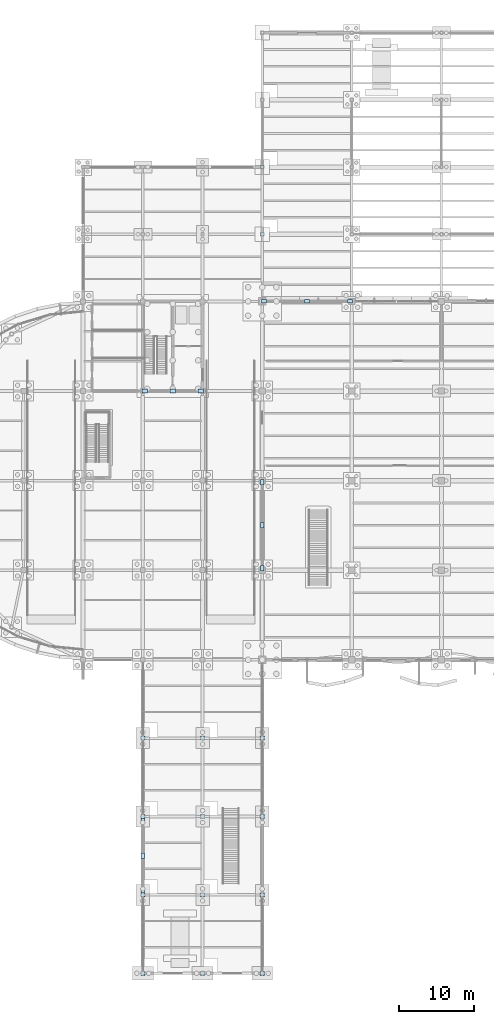
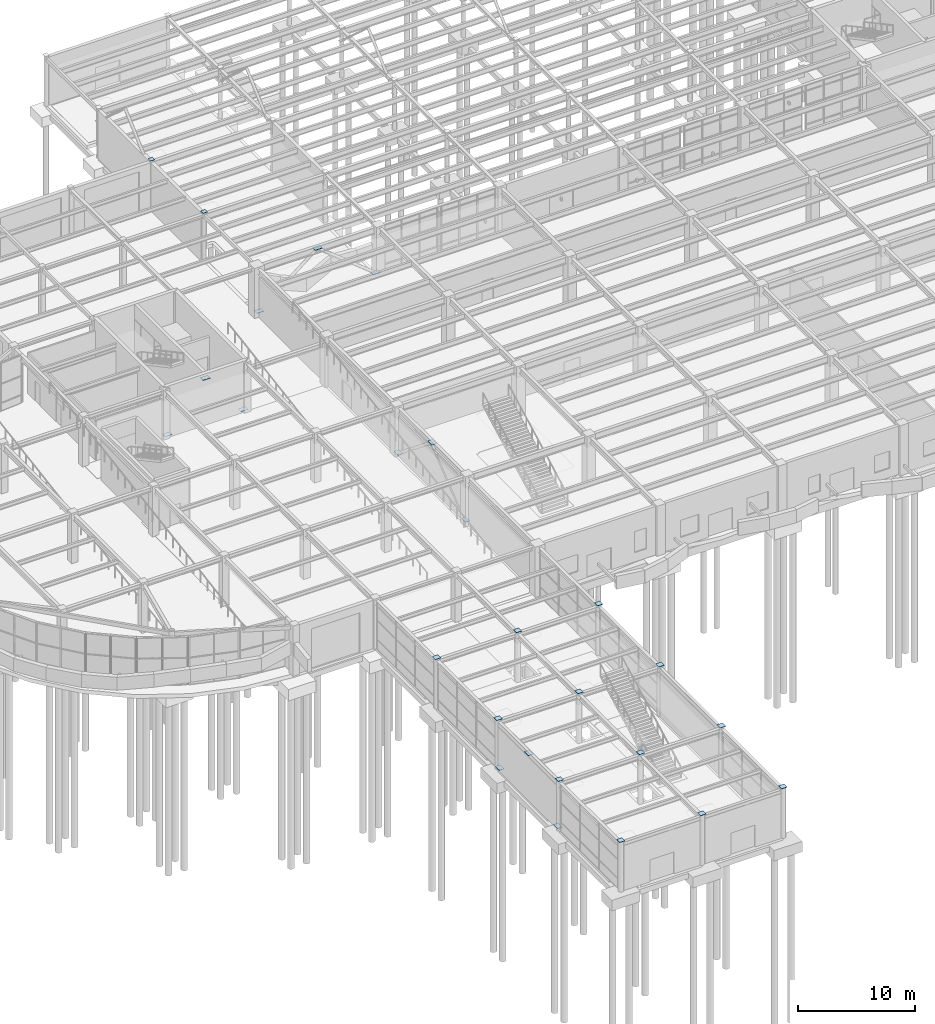
# One storey, part 59 of 85: 26 plates.
"""IFC4 building model written with IfcOpenShell, lengths in metres."""

from ifc_helpers import new_model, si_unit, direction, frame, origin, origin_2d, place, context, subcontext, project, spatial, rectangle, extrude, material, layer, layer_set, type_object, element, save


model = new_model("IFC4")

# Units and contexts
model_context = context("Model", 3, precision=1e-05, world=origin(), true_north=direction((0.0, 1.0)))
body_context = subcontext(model_context, "Body", "Model", "MODEL_VIEW")
ifc_project = project(units=[si_unit("LENGTHUNIT", "METRE"), si_unit("AREAUNIT", "SQUARE_METRE"), si_unit("VOLUMEUNIT", "CUBIC_METRE"), si_unit("PLANEANGLEUNIT", "RADIAN"), si_unit("MASSUNIT", "GRAM", prefix="KILO")], contexts=[model_context])

# Site, building, storey
site_placement = place(None, origin())
site = spatial("IfcSite", under=ifc_project, at=site_placement, CompositionType="ELEMENT")
building_placement = place(site_placement, origin())
building = spatial("IfcBuilding", under=site, at=building_placement, Name="Keelwater Ferry Terminal", CompositionType="ELEMENT")
storey_placement = place(building_placement, origin())
storey = spatial("IfcBuildingStorey", under=building, at=storey_placement, Name="L00", CompositionType="ELEMENT", Elevation=0.0)

# Plates
ifc_material_1 = material(Name="Steel S355", Category="steel")
ifc_layer_1 = layer(ifc_material_1, 0.030029296875)
ifc_layer_set_1 = layer_set([ifc_layer_1], Name="Steel S355")
plate_type_1 = type_object("IfcPlateType", Name="CP2 540x540x30", PredefinedType="USERDEFINED", material=ifc_layer_set_1)
for number, where, z_axis, x_axis, name in (
    (1, (32.0, 0.0, 5.23974609375), (0.0, 0.0, 1.0), (1.0, 0.0, 0.0), "Column Step Cap Plate 34"),
    (2, (32.0, 10.5, 5.23974609375), (0.0, 0.0, 1.0), (1.0, 0.0, 0.0), "Column Step Cap Plate 36"),
    (3, (32.0, 21.0, 5.23974609375), (0.0, 0.0, 1.0), (1.0, 0.0, 0.0), "Column Step Cap Plate 38"),
    (4, (32.0, 31.5, 5.23974609375), (0.0, 0.0, 1.0), (1.0, 0.0, 0.0), "Column Step Cap Plate 40"),
    (5, (40.0, 0.0, 5.23974609375), (0.0, 0.0, 1.0), (1.0, 0.0, 0.0), "Column Step Cap Plate 42"),
    (6, (40.0, 10.5, 5.23974609375), (0.0, 0.0, 1.0), (1.0, 0.0, 0.0), "Column Step Cap Plate 44"),
    (7, (40.0, 21.0, 5.23974609375), (0.0, 0.0, 1.0), (1.0, 0.0, 0.0), "Column Step Cap Plate 46"),
    (8, (40.0, 31.5, 5.23974609375), (0.0, 0.0, 1.0), (1.0, 0.0, 0.0), "Column Step Cap Plate 48"),
    (9, (48.0, 0.0, 5.23974609375), (0.0, 0.0, 1.0), (1.0, 0.0, 0.0), "Column Step Cap Plate 50"),
    (10, (48.0, 10.5, 5.23974609375), (0.0, 0.0, 1.0), (1.0, 0.0, 0.0), "Column Step Cap Plate 52"),
    (11, (48.0, 21.0, 5.23974609375), (0.0, 0.0, 1.0), (1.0, 0.0, 0.0), "Column Step Cap Plate 54"),
    (12, (48.0, 31.5, 5.23974609375), (0.0, 0.0, 1.0), (1.0, 0.0, 0.0), "Column Step Cap Plate 56"),
):
    element("IfcPlate", number, at=place(storey_placement, frame(where, z_axis=z_axis, x_axis=x_axis)), inside=storey, type_object=plate_type_1, Name=name, ObjectType="GUSSET PLATE", PredefinedType="USERDEFINED", context=body_context, shape_type="SweptSolid", body=[
        extrude(rectangle(XDim=0.5400390625, YDim=0.5400390625, at=origin_2d()), origin(), (0.0, 0.0, 1.0), 0.030029296875),
    ])
ifc_material_2 = material(Name="Steel S355", Category="steel")
ifc_layer_2 = layer(ifc_material_2, 0.02490234375)
ifc_layer_set_2 = layer_set([ifc_layer_2], Name="Steel S355")
plate_type_2 = type_object("IfcPlateType", Name="CP3 440x440x25", PredefinedType="USERDEFINED", material=ifc_layer_set_2)
for number, where, z_axis, x_axis, name in (
    (13, (48.0, 99.0, 5.239501953125), (0.0, 0.0, 1.0), (1.0, 0.0, 0.0), "Column Top Cap Plate 57"),
    (14, (48.0, 108.0, 5.239501953125), (0.0, 0.0, 1.0), (1.0, 0.0, 0.0), "Column Top Cap Plate 58"),
):
    element("IfcPlate", number, at=place(storey_placement, frame(where, z_axis=z_axis, x_axis=x_axis)), inside=storey, type_object=plate_type_2, Name=name, ObjectType="GUSSET PLATE", PredefinedType="USERDEFINED", context=body_context, shape_type="SweptSolid", body=[
        extrude(rectangle(XDim=0.43994140625, YDim=0.43994140625, at=origin_2d()), origin(), (0.0, 0.0, 1.0), 0.02490234375),
    ])
ifc_material_3 = material(Name="Steel S355", Category="steel")
ifc_layer_3 = layer(ifc_material_3, 0.02490234375)
ifc_layer_set_3 = layer_set([ifc_layer_3], Name="Steel S355")
plate_type_3 = type_object("IfcPlateType", Name="GP3 720x480x25", PredefinedType="USERDEFINED", material=ifc_layer_set_3)
for number, where, z_axis, x_axis, name in (
    (15, (36.0, 78.0, 4.797607421875), (0.0, 0.0, 1.0), (1.0, 0.0, 0.0), "Connection Gusset Plate 54"),
    (16, (32.239990234375, 78.0, 0.2275390625), (0.0, 0.0, 1.0), (1.0, 0.0, 0.0), "Connection Gusset Plate 55"),
    (17, (39.760009765625, 78.0, 0.2275390625), (0.0, 0.0, 1.0), (1.0, 0.0, 0.0), "Connection Gusset Plate 56"),
    (18, (54.0, 90.0, 4.797607421875), (0.0, 0.0, 1.0), (1.0, 0.0, 0.0), "Connection Gusset Plate 63"),
    (19, (48.239990234375, 90.0, 0.2275390625), (0.0, 0.0, 1.0), (1.0, 0.0, 0.0), "Connection Gusset Plate 64"),
    (20, (59.760009765625, 90.0, 0.2275390625), (0.0, 0.0, 1.0), (1.0, 0.0, 0.0), "Connection Gusset Plate 65"),
    (21, (48.0, 60.0, 4.797607421875), (0.0, 0.0, 1.0), (0.0, 1.0, 0.0), "Connection Gusset Plate 72"),
    (22, (48.0, 54.239990234375, 0.2275390625), (0.0, 0.0, 1.0), (0.0, 1.0, 0.0), "Connection Gusset Plate 73"),
    (23, (48.0, 65.760009765625, 0.2275390625), (0.0, 0.0, 1.0), (0.0, 1.0, 0.0), "Connection Gusset Plate 74"),
    (24, (32.0, 15.75, 4.797607421875), (0.0, 0.0, 1.0), (0.0, 1.0, 0.0), "Connection Gusset Plate 132"),
    (25, (32.0, 10.739990234375, 0.2275390625), (0.0, 0.0, 1.0), (0.0, 1.0, 0.0), "Connection Gusset Plate 133"),
    (26, (32.0, 20.760009765625, 0.2275390625), (0.0, 0.0, 1.0), (0.0, 1.0, 0.0), "Connection Gusset Plate 134"),
):
    element("IfcPlate", number, at=place(storey_placement, frame(where, z_axis=z_axis, x_axis=x_axis)), inside=storey, type_object=plate_type_3, Name=name, ObjectType="GUSSET PLATE", PredefinedType="USERDEFINED", context=body_context, shape_type="SweptSolid", body=[
        extrude(rectangle(XDim=0.719970703125, YDim=0.47998046875, at=origin_2d()), origin(), (0.0, 0.0, 1.0), 0.02490234375),
    ])

save(model, "model.ifc")
